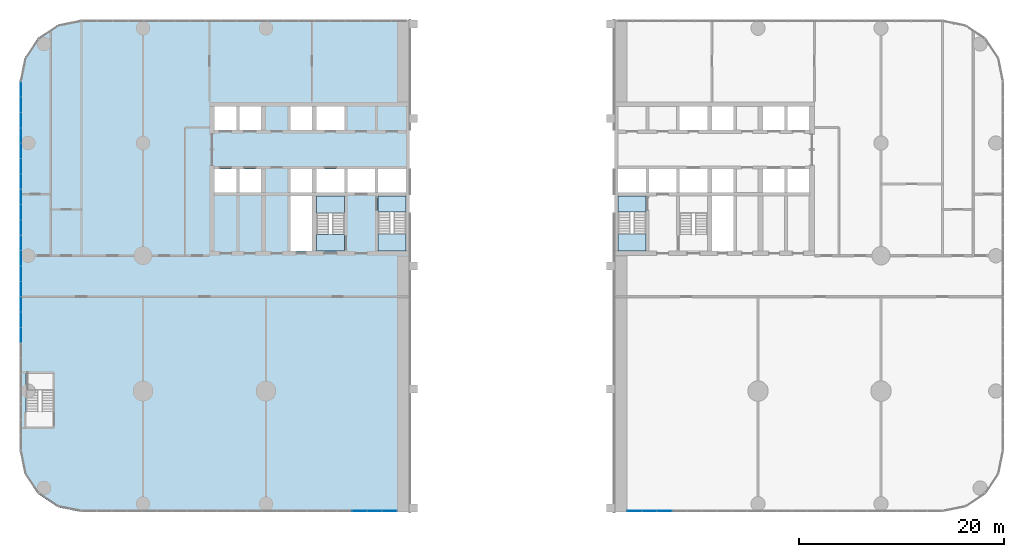
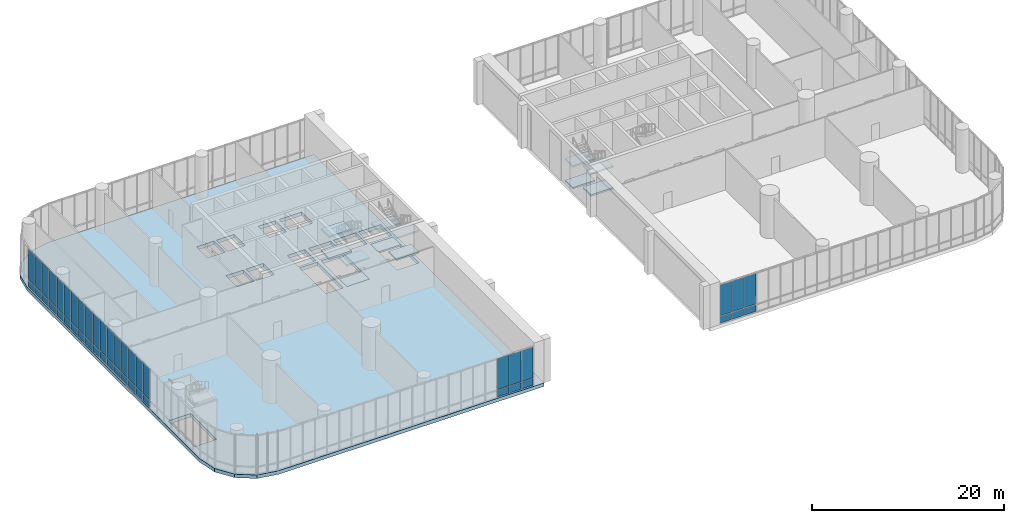
# One storey, part 17 of 28: 46 plates, 13 slabs, 6 elements without a shape of their own.
"""IFC4 building model written with IfcOpenShell, lengths in metres."""

from ifc_helpers import new_model, si_unit, direction, frame, origin, origin_2d, place, context, subcontext, project, spatial, polyline, rectangle, outline, extrude, material, layer, layer_set, type_object, element, aggregate, save


model = new_model("IFC4")

# Units and contexts
model_context = context("Model", 3, precision=1e-05, world=origin(), true_north=direction((0.0, 1.0)))
body_context = subcontext(model_context, "Body", "Model", "MODEL_VIEW")
ifc_project = project(units=[si_unit("LENGTHUNIT", "METRE"), si_unit("AREAUNIT", "SQUARE_METRE"), si_unit("VOLUMEUNIT", "CUBIC_METRE"), si_unit("PLANEANGLEUNIT", "RADIAN"), si_unit("MASSUNIT", "GRAM", prefix="KILO")], contexts=[model_context])

# Site, building, storey
site_placement = place(None, origin())
site = spatial("IfcSite", under=ifc_project, at=site_placement, CompositionType="ELEMENT")
building_placement = place(site_placement, origin())
building = spatial("IfcBuilding", under=site, at=building_placement, Name="Torana Hotel and Residences", CompositionType="ELEMENT")
storey_placement = place(building_placement, frame((0.0, 0.0, 7.0)))
storey = spatial("IfcBuildingStorey", under=building, at=storey_placement, Name="L01", CompositionType="ELEMENT", Elevation=7.0)

# Curtain wall, plates
ifc_material_1 = material(Name="Dark anodised aluminium", Category="aluminium")
ifc_layer_1 = layer(ifc_material_1, 0.14990234375)
ifc_layer_set_1 = layer_set([ifc_layer_1], Name="CW5 PODIUM UPPER UNITISED CURTAIN WALL")
curtain_wall_type = type_object("IfcCurtainWallType", Name="CW5 PODIUM UPPER UNITISED CURTAIN WALL", PredefinedType="NOTDEFINED", material=ifc_layer_set_1)
curtain_wall_1_placement = place(storey_placement, origin())
curtain_wall_1 = element("IfcCurtainWall", 1, at=curtain_wall_1_placement, inside=storey, type_object=curtain_wall_type, Name="Curtain wall CW5 L01 e0.0", PredefinedType="NOTDEFINED")
ifc_material_2 = material(Name="Glass clear low-iron laminated double glazed unit", Category="glass")
ifc_layer_2 = layer(ifc_material_2, 0.035888671875)
ifc_layer_set_2 = layer_set([ifc_layer_2], Name="CW5 DARK GLASS PANEL 36")
plate_type = type_object("IfcPlateType", Name="CW5 DARK GLASS PANEL 36", PredefinedType="CURTAIN_PANEL", material=ifc_layer_set_2)
plate_1_placement = place(storey_placement, frame((-14.86376953125, -39.89990234375, 0.099853515625), z_axis=(0.0, 0.0, 1.0), x_axis=(1.0, 0.0, 0.0)))
plate_1 = element("IfcPlate", 2, at=plate_1_placement, type_object=plate_type, Name="CW5 panel 19.1", PredefinedType="CURTAIN_PANEL", context=body_context, shape_type="SweptSolid", body=[
    extrude(rectangle(XDim=1.405517578125, YDim=0.035888671875, at=origin_2d()), origin(), (0.0, 0.0, 1.0), 0.85009765625),
])
plate_2_placement = place(storey_placement, frame((-14.86376953125, -39.89990234375, 1.050048828125), z_axis=(0.0, 0.0, 1.0), x_axis=(1.0, 0.0, 0.0)))
plate_2 = element("IfcPlate", 3, at=plate_2_placement, type_object=plate_type, Name="CW5 panel 19.2", PredefinedType="CURTAIN_PANEL", context=body_context, shape_type="SweptSolid", body=[
    extrude(rectangle(XDim=1.405517578125, YDim=0.035888671875, at=origin_2d()), origin(), (0.0, 0.0, 1.0), 3.89990234375),
])
plate_3_placement = place(storey_placement, frame((-13.398193359375, -39.89990234375, 0.099853515625), z_axis=(0.0, 0.0, 1.0), x_axis=(1.0, 0.0, 0.0)))
plate_3 = element("IfcPlate", 4, at=plate_3_placement, type_object=plate_type, Name="CW5 panel 20.1", PredefinedType="CURTAIN_PANEL", context=body_context, shape_type="SweptSolid", body=[
    extrude(rectangle(XDim=1.405517578125, YDim=0.035888671875, at=origin_2d()), origin(), (0.0, 0.0, 1.0), 0.85009765625),
])
plate_4_placement = place(storey_placement, frame((-13.398193359375, -39.89990234375, 1.050048828125), z_axis=(0.0, 0.0, 1.0), x_axis=(1.0, 0.0, 0.0)))
plate_4 = element("IfcPlate", 5, at=plate_4_placement, type_object=plate_type, Name="CW5 panel 20.2", PredefinedType="CURTAIN_PANEL", context=body_context, shape_type="SweptSolid", body=[
    extrude(rectangle(XDim=1.405517578125, YDim=0.035888671875, at=origin_2d()), origin(), (0.0, 0.0, 1.0), 3.89990234375),
])
plate_5_placement = place(storey_placement, frame((-11.94775390625, -39.89990234375, 0.099853515625), z_axis=(0.0, 0.0, 1.0), x_axis=(1.0, 0.0, 0.0)))
plate_5 = element("IfcPlate", 6, at=plate_5_placement, type_object=plate_type, Name="CW5 panel 21.1", PredefinedType="CURTAIN_PANEL", context=body_context, shape_type="SweptSolid", body=[
    extrude(rectangle(XDim=1.37548828125, YDim=0.035888671875, at=origin_2d()), origin(), (0.0, 0.0, 1.0), 0.85009765625),
])
plate_6_placement = place(storey_placement, frame((-11.94775390625, -39.89990234375, 1.050048828125), z_axis=(0.0, 0.0, 1.0), x_axis=(1.0, 0.0, 0.0)))
plate_6 = element("IfcPlate", 7, at=plate_6_placement, type_object=plate_type, Name="CW5 panel 21.2", PredefinedType="CURTAIN_PANEL", context=body_context, shape_type="SweptSolid", body=[
    extrude(rectangle(XDim=1.37548828125, YDim=0.035888671875, at=origin_2d()), origin(), (0.0, 0.0, 1.0), 3.89990234375),
])
aggregate(curtain_wall_1, [plate_1, plate_2, plate_3, plate_4, plate_5, plate_6])

curtain_wall_2_placement = place(storey_placement, origin())
curtain_wall_2 = element("IfcCurtainWall", 8, at=curtain_wall_2_placement, inside=storey, type_object=curtain_wall_type, Name="Curtain wall CW5 L01 e0.7", PredefinedType="NOTDEFINED")
plate_7_placement = place(storey_placement, frame((-47.89990234375, 1.21142578125, 0.099853515625), z_axis=(0.0, 0.0, 1.0), x_axis=(0.0, -1.0, 0.0)))
plate_7 = element("IfcPlate", 9, at=plate_7_placement, type_object=plate_type, Name="CW5 panel 1.1", PredefinedType="CURTAIN_PANEL", context=body_context, shape_type="SweptSolid", body=[
    extrude(rectangle(XDim=1.407958984375, YDim=0.035888671875, at=origin_2d()), origin(), (0.0, 0.0, 1.0), 0.85009765625),
])
plate_8_placement = place(storey_placement, frame((-47.89990234375, 1.21142578125, 1.050048828125), z_axis=(0.0, 0.0, 1.0), x_axis=(0.0, -1.0, 0.0)))
plate_8 = element("IfcPlate", 10, at=plate_8_placement, type_object=plate_type, Name="CW5 panel 1.2", PredefinedType="CURTAIN_PANEL", context=body_context, shape_type="SweptSolid", body=[
    extrude(rectangle(XDim=1.407958984375, YDim=0.035888671875, at=origin_2d()), origin(), (0.0, 0.0, 1.0), 3.89990234375),
])
plate_9_placement = place(storey_placement, frame((-47.89990234375, -0.271484375, 0.099853515625), z_axis=(0.0, 0.0, 1.0), x_axis=(0.0, -1.0, 0.0)))
plate_9 = element("IfcPlate", 11, at=plate_9_placement, type_object=plate_type, Name="CW5 panel 2.1", PredefinedType="CURTAIN_PANEL", context=body_context, shape_type="SweptSolid", body=[
    extrude(rectangle(XDim=1.43798828125, YDim=0.035888671875, at=origin_2d()), origin(), (0.0, 0.0, 1.0), 0.85009765625),
])
plate_10_placement = place(storey_placement, frame((-47.89990234375, -0.271484375, 1.050048828125), z_axis=(0.0, 0.0, 1.0), x_axis=(0.0, -1.0, 0.0)))
plate_10 = element("IfcPlate", 12, at=plate_10_placement, type_object=plate_type, Name="CW5 panel 2.2", PredefinedType="CURTAIN_PANEL", context=body_context, shape_type="SweptSolid", body=[
    extrude(rectangle(XDim=1.43798828125, YDim=0.035888671875, at=origin_2d()), origin(), (0.0, 0.0, 1.0), 3.89990234375),
])
plate_11_placement = place(storey_placement, frame((-47.89990234375, -1.76953125, 0.099853515625), z_axis=(0.0, 0.0, 1.0), x_axis=(0.0, -1.0, 0.0)))
plate_11 = element("IfcPlate", 13, at=plate_11_placement, type_object=plate_type, Name="CW5 panel 3.1", PredefinedType="CURTAIN_PANEL", context=body_context, shape_type="SweptSolid", body=[
    extrude(rectangle(XDim=1.43798828125, YDim=0.035888671875, at=origin_2d()), origin(), (0.0, 0.0, 1.0), 0.85009765625),
])
plate_12_placement = place(storey_placement, frame((-47.89990234375, -1.76953125, 1.050048828125), z_axis=(0.0, 0.0, 1.0), x_axis=(0.0, -1.0, 0.0)))
plate_12 = element("IfcPlate", 14, at=plate_12_placement, type_object=plate_type, Name="CW5 panel 3.2", PredefinedType="CURTAIN_PANEL", context=body_context, shape_type="SweptSolid", body=[
    extrude(rectangle(XDim=1.43798828125, YDim=0.035888671875, at=origin_2d()), origin(), (0.0, 0.0, 1.0), 3.89990234375),
])
plate_13_placement = place(storey_placement, frame((-47.89990234375, -3.267333984375, 0.099853515625), z_axis=(0.0, 0.0, 1.0), x_axis=(0.0, -1.0, 0.0)))
plate_13 = element("IfcPlate", 15, at=plate_13_placement, type_object=plate_type, Name="CW5 panel 4.1", PredefinedType="CURTAIN_PANEL", context=body_context, shape_type="SweptSolid", body=[
    extrude(rectangle(XDim=1.43798828125, YDim=0.035888671875, at=origin_2d()), origin(), (0.0, 0.0, 1.0), 0.85009765625),
])
plate_14_placement = place(storey_placement, frame((-47.89990234375, -3.267333984375, 1.050048828125), z_axis=(0.0, 0.0, 1.0), x_axis=(0.0, -1.0, 0.0)))
plate_14 = element("IfcPlate", 16, at=plate_14_placement, type_object=plate_type, Name="CW5 panel 4.2", PredefinedType="CURTAIN_PANEL", context=body_context, shape_type="SweptSolid", body=[
    extrude(rectangle(XDim=1.43798828125, YDim=0.035888671875, at=origin_2d()), origin(), (0.0, 0.0, 1.0), 3.89990234375),
])
plate_15_placement = place(storey_placement, frame((-47.89990234375, -4.765380859375, 0.099853515625), z_axis=(0.0, 0.0, 1.0), x_axis=(0.0, -1.0, 0.0)))
plate_15 = element("IfcPlate", 17, at=plate_15_placement, type_object=plate_type, Name="CW5 panel 5.1", PredefinedType="CURTAIN_PANEL", context=body_context, shape_type="SweptSolid", body=[
    extrude(rectangle(XDim=1.43798828125, YDim=0.035888671875, at=origin_2d()), origin(), (0.0, 0.0, 1.0), 0.85009765625),
])
plate_16_placement = place(storey_placement, frame((-47.89990234375, -4.765380859375, 1.050048828125), z_axis=(0.0, 0.0, 1.0), x_axis=(0.0, -1.0, 0.0)))
plate_16 = element("IfcPlate", 18, at=plate_16_placement, type_object=plate_type, Name="CW5 panel 5.2", PredefinedType="CURTAIN_PANEL", context=body_context, shape_type="SweptSolid", body=[
    extrude(rectangle(XDim=1.43798828125, YDim=0.035888671875, at=origin_2d()), origin(), (0.0, 0.0, 1.0), 3.89990234375),
])
plate_17_placement = place(storey_placement, frame((-47.89990234375, -6.263427734375, 0.099853515625), z_axis=(0.0, 0.0, 1.0), x_axis=(0.0, -1.0, 0.0)))
plate_17 = element("IfcPlate", 19, at=plate_17_placement, type_object=plate_type, Name="CW5 panel 6.1", PredefinedType="CURTAIN_PANEL", context=body_context, shape_type="SweptSolid", body=[
    extrude(rectangle(XDim=1.43798828125, YDim=0.035888671875, at=origin_2d()), origin(), (0.0, 0.0, 1.0), 0.85009765625),
])
plate_18_placement = place(storey_placement, frame((-47.89990234375, -6.263427734375, 1.050048828125), z_axis=(0.0, 0.0, 1.0), x_axis=(0.0, -1.0, 0.0)))
plate_18 = element("IfcPlate", 20, at=plate_18_placement, type_object=plate_type, Name="CW5 panel 6.2", PredefinedType="CURTAIN_PANEL", context=body_context, shape_type="SweptSolid", body=[
    extrude(rectangle(XDim=1.43798828125, YDim=0.035888671875, at=origin_2d()), origin(), (0.0, 0.0, 1.0), 3.89990234375),
])
plate_19_placement = place(storey_placement, frame((-47.89990234375, -7.76123046875, 0.099853515625), z_axis=(0.0, 0.0, 1.0), x_axis=(0.0, -1.0, 0.0)))
plate_19 = element("IfcPlate", 21, at=plate_19_placement, type_object=plate_type, Name="CW5 panel 7.1", PredefinedType="CURTAIN_PANEL", context=body_context, shape_type="SweptSolid", body=[
    extrude(rectangle(XDim=1.43798828125, YDim=0.035888671875, at=origin_2d()), origin(), (0.0, 0.0, 1.0), 0.85009765625),
])
plate_20_placement = place(storey_placement, frame((-47.89990234375, -7.76123046875, 1.050048828125), z_axis=(0.0, 0.0, 1.0), x_axis=(0.0, -1.0, 0.0)))
plate_20 = element("IfcPlate", 22, at=plate_20_placement, type_object=plate_type, Name="CW5 panel 7.2", PredefinedType="CURTAIN_PANEL", context=body_context, shape_type="SweptSolid", body=[
    extrude(rectangle(XDim=1.43798828125, YDim=0.035888671875, at=origin_2d()), origin(), (0.0, 0.0, 1.0), 3.89990234375),
])
plate_21_placement = place(storey_placement, frame((-47.89990234375, -9.25927734375, 0.099853515625), z_axis=(0.0, 0.0, 1.0), x_axis=(0.0, -1.0, 0.0)))
plate_21 = element("IfcPlate", 23, at=plate_21_placement, type_object=plate_type, Name="CW5 panel 8.1", PredefinedType="CURTAIN_PANEL", context=body_context, shape_type="SweptSolid", body=[
    extrude(rectangle(XDim=1.43798828125, YDim=0.035888671875, at=origin_2d()), origin(), (0.0, 0.0, 1.0), 0.85009765625),
])
plate_22_placement = place(storey_placement, frame((-47.89990234375, -9.25927734375, 1.050048828125), z_axis=(0.0, 0.0, 1.0), x_axis=(0.0, -1.0, 0.0)))
plate_22 = element("IfcPlate", 24, at=plate_22_placement, type_object=plate_type, Name="CW5 panel 8.2", PredefinedType="CURTAIN_PANEL", context=body_context, shape_type="SweptSolid", body=[
    extrude(rectangle(XDim=1.43798828125, YDim=0.035888671875, at=origin_2d()), origin(), (0.0, 0.0, 1.0), 3.89990234375),
])
plate_23_placement = place(storey_placement, frame((-47.89990234375, -10.757080078125, 0.099853515625), z_axis=(0.0, 0.0, 1.0), x_axis=(0.0, -1.0, 0.0)))
plate_23 = element("IfcPlate", 25, at=plate_23_placement, type_object=plate_type, Name="CW5 panel 9.1", PredefinedType="CURTAIN_PANEL", context=body_context, shape_type="SweptSolid", body=[
    extrude(rectangle(XDim=1.43798828125, YDim=0.035888671875, at=origin_2d()), origin(), (0.0, 0.0, 1.0), 0.85009765625),
])
plate_24_placement = place(storey_placement, frame((-47.89990234375, -10.757080078125, 1.050048828125), z_axis=(0.0, 0.0, 1.0), x_axis=(0.0, -1.0, 0.0)))
plate_24 = element("IfcPlate", 26, at=plate_24_placement, type_object=plate_type, Name="CW5 panel 9.2", PredefinedType="CURTAIN_PANEL", context=body_context, shape_type="SweptSolid", body=[
    extrude(rectangle(XDim=1.43798828125, YDim=0.035888671875, at=origin_2d()), origin(), (0.0, 0.0, 1.0), 3.89990234375),
])
plate_25_placement = place(storey_placement, frame((-47.89990234375, -12.255126953125, 0.099853515625), z_axis=(0.0, 0.0, 1.0), x_axis=(0.0, -1.0, 0.0)))
plate_25 = element("IfcPlate", 27, at=plate_25_placement, type_object=plate_type, Name="CW5 panel 10.1", PredefinedType="CURTAIN_PANEL", context=body_context, shape_type="SweptSolid", body=[
    extrude(rectangle(XDim=1.43798828125, YDim=0.035888671875, at=origin_2d()), origin(), (0.0, 0.0, 1.0), 0.85009765625),
])
plate_26_placement = place(storey_placement, frame((-47.89990234375, -12.255126953125, 1.050048828125), z_axis=(0.0, 0.0, 1.0), x_axis=(0.0, -1.0, 0.0)))
plate_26 = element("IfcPlate", 28, at=plate_26_placement, type_object=plate_type, Name="CW5 panel 10.2", PredefinedType="CURTAIN_PANEL", context=body_context, shape_type="SweptSolid", body=[
    extrude(rectangle(XDim=1.43798828125, YDim=0.035888671875, at=origin_2d()), origin(), (0.0, 0.0, 1.0), 3.89990234375),
])
plate_27_placement = place(storey_placement, frame((-47.89990234375, -13.753173828125, 0.099853515625), z_axis=(0.0, 0.0, 1.0), x_axis=(0.0, -1.0, 0.0)))
plate_27 = element("IfcPlate", 29, at=plate_27_placement, type_object=plate_type, Name="CW5 panel 11.1", PredefinedType="CURTAIN_PANEL", context=body_context, shape_type="SweptSolid", body=[
    extrude(rectangle(XDim=1.43798828125, YDim=0.035888671875, at=origin_2d()), origin(), (0.0, 0.0, 1.0), 0.85009765625),
])
plate_28_placement = place(storey_placement, frame((-47.89990234375, -13.753173828125, 1.050048828125), z_axis=(0.0, 0.0, 1.0), x_axis=(0.0, -1.0, 0.0)))
plate_28 = element("IfcPlate", 30, at=plate_28_placement, type_object=plate_type, Name="CW5 panel 11.2", PredefinedType="CURTAIN_PANEL", context=body_context, shape_type="SweptSolid", body=[
    extrude(rectangle(XDim=1.43798828125, YDim=0.035888671875, at=origin_2d()), origin(), (0.0, 0.0, 1.0), 3.89990234375),
])
plate_29_placement = place(storey_placement, frame((-47.89990234375, -15.2509765625, 0.099853515625), z_axis=(0.0, 0.0, 1.0), x_axis=(0.0, -1.0, 0.0)))
plate_29 = element("IfcPlate", 31, at=plate_29_placement, type_object=plate_type, Name="CW5 panel 12.1", PredefinedType="CURTAIN_PANEL", context=body_context, shape_type="SweptSolid", body=[
    extrude(rectangle(XDim=1.43798828125, YDim=0.035888671875, at=origin_2d()), origin(), (0.0, 0.0, 1.0), 0.85009765625),
])
plate_30_placement = place(storey_placement, frame((-47.89990234375, -15.2509765625, 1.050048828125), z_axis=(0.0, 0.0, 1.0), x_axis=(0.0, -1.0, 0.0)))
plate_30 = element("IfcPlate", 32, at=plate_30_placement, type_object=plate_type, Name="CW5 panel 12.2", PredefinedType="CURTAIN_PANEL", context=body_context, shape_type="SweptSolid", body=[
    extrude(rectangle(XDim=1.43798828125, YDim=0.035888671875, at=origin_2d()), origin(), (0.0, 0.0, 1.0), 3.89990234375),
])
plate_31_placement = place(storey_placement, frame((-47.89990234375, -16.7490234375, 0.099853515625), z_axis=(0.0, 0.0, 1.0), x_axis=(0.0, -1.0, 0.0)))
plate_31 = element("IfcPlate", 33, at=plate_31_placement, type_object=plate_type, Name="CW5 panel 13.1", PredefinedType="CURTAIN_PANEL", context=body_context, shape_type="SweptSolid", body=[
    extrude(rectangle(XDim=1.43798828125, YDim=0.035888671875, at=origin_2d()), origin(), (0.0, 0.0, 1.0), 0.85009765625),
])
plate_32_placement = place(storey_placement, frame((-47.89990234375, -16.7490234375, 1.050048828125), z_axis=(0.0, 0.0, 1.0), x_axis=(0.0, -1.0, 0.0)))
plate_32 = element("IfcPlate", 34, at=plate_32_placement, type_object=plate_type, Name="CW5 panel 13.2", PredefinedType="CURTAIN_PANEL", context=body_context, shape_type="SweptSolid", body=[
    extrude(rectangle(XDim=1.43798828125, YDim=0.035888671875, at=origin_2d()), origin(), (0.0, 0.0, 1.0), 3.89990234375),
])
plate_33_placement = place(storey_placement, frame((-47.89990234375, -18.246826171875, 0.099853515625), z_axis=(0.0, 0.0, 1.0), x_axis=(0.0, -1.0, 0.0)))
plate_33 = element("IfcPlate", 35, at=plate_33_placement, type_object=plate_type, Name="CW5 panel 14.1", PredefinedType="CURTAIN_PANEL", context=body_context, shape_type="SweptSolid", body=[
    extrude(rectangle(XDim=1.43798828125, YDim=0.035888671875, at=origin_2d()), origin(), (0.0, 0.0, 1.0), 0.85009765625),
])
plate_34_placement = place(storey_placement, frame((-47.89990234375, -18.246826171875, 1.050048828125), z_axis=(0.0, 0.0, 1.0), x_axis=(0.0, -1.0, 0.0)))
plate_34 = element("IfcPlate", 36, at=plate_34_placement, type_object=plate_type, Name="CW5 panel 14.2", PredefinedType="CURTAIN_PANEL", context=body_context, shape_type="SweptSolid", body=[
    extrude(rectangle(XDim=1.43798828125, YDim=0.035888671875, at=origin_2d()), origin(), (0.0, 0.0, 1.0), 3.89990234375),
])
plate_35_placement = place(storey_placement, frame((-47.89990234375, -19.744873046875, 0.099853515625), z_axis=(0.0, 0.0, 1.0), x_axis=(0.0, -1.0, 0.0)))
plate_35 = element("IfcPlate", 37, at=plate_35_placement, type_object=plate_type, Name="CW5 panel 15.1", PredefinedType="CURTAIN_PANEL", context=body_context, shape_type="SweptSolid", body=[
    extrude(rectangle(XDim=1.43798828125, YDim=0.035888671875, at=origin_2d()), origin(), (0.0, 0.0, 1.0), 0.85009765625),
])
plate_36_placement = place(storey_placement, frame((-47.89990234375, -19.744873046875, 1.050048828125), z_axis=(0.0, 0.0, 1.0), x_axis=(0.0, -1.0, 0.0)))
plate_36 = element("IfcPlate", 38, at=plate_36_placement, type_object=plate_type, Name="CW5 panel 15.2", PredefinedType="CURTAIN_PANEL", context=body_context, shape_type="SweptSolid", body=[
    extrude(rectangle(XDim=1.43798828125, YDim=0.035888671875, at=origin_2d()), origin(), (0.0, 0.0, 1.0), 3.89990234375),
])
plate_37_placement = place(storey_placement, frame((-47.89990234375, -21.242919921875, 0.099853515625), z_axis=(0.0, 0.0, 1.0), x_axis=(0.0, -1.0, 0.0)))
plate_37 = element("IfcPlate", 39, at=plate_37_placement, type_object=plate_type, Name="CW5 panel 16.1", PredefinedType="CURTAIN_PANEL", context=body_context, shape_type="SweptSolid", body=[
    extrude(rectangle(XDim=1.43798828125, YDim=0.035888671875, at=origin_2d()), origin(), (0.0, 0.0, 1.0), 0.85009765625),
])
plate_38_placement = place(storey_placement, frame((-47.89990234375, -21.242919921875, 1.050048828125), z_axis=(0.0, 0.0, 1.0), x_axis=(0.0, -1.0, 0.0)))
plate_38 = element("IfcPlate", 40, at=plate_38_placement, type_object=plate_type, Name="CW5 panel 16.2", PredefinedType="CURTAIN_PANEL", context=body_context, shape_type="SweptSolid", body=[
    extrude(rectangle(XDim=1.43798828125, YDim=0.035888671875, at=origin_2d()), origin(), (0.0, 0.0, 1.0), 3.89990234375),
])
plate_39_placement = place(storey_placement, frame((-47.89990234375, -22.74072265625, 0.099853515625), z_axis=(0.0, 0.0, 1.0), x_axis=(0.0, -1.0, 0.0)))
plate_39 = element("IfcPlate", 41, at=plate_39_placement, type_object=plate_type, Name="CW5 panel 17.1", PredefinedType="CURTAIN_PANEL", context=body_context, shape_type="SweptSolid", body=[
    extrude(rectangle(XDim=1.43798828125, YDim=0.035888671875, at=origin_2d()), origin(), (0.0, 0.0, 1.0), 0.85009765625),
])
plate_40_placement = place(storey_placement, frame((-47.89990234375, -22.74072265625, 1.050048828125), z_axis=(0.0, 0.0, 1.0), x_axis=(0.0, -1.0, 0.0)))
plate_40 = element("IfcPlate", 42, at=plate_40_placement, type_object=plate_type, Name="CW5 panel 17.2", PredefinedType="CURTAIN_PANEL", context=body_context, shape_type="SweptSolid", body=[
    extrude(rectangle(XDim=1.43798828125, YDim=0.035888671875, at=origin_2d()), origin(), (0.0, 0.0, 1.0), 3.89990234375),
])
aggregate(curtain_wall_2, [plate_7, plate_8, plate_9, plate_10, plate_11, plate_12, plate_13, plate_14, plate_15, plate_16, plate_17, plate_18, plate_19, plate_20, plate_21, plate_22, plate_23, plate_24, plate_25, plate_26, plate_27, plate_28, plate_29, plate_30, plate_31, plate_32, plate_33, plate_34, plate_35, plate_36, plate_37, plate_38, plate_39, plate_40])

curtain_wall_3_placement = place(storey_placement, origin())
curtain_wall_3 = element("IfcCurtainWall", 43, at=curtain_wall_3_placement, inside=storey, type_object=curtain_wall_type, Name="Curtain wall CW5 L01 e1.0", PredefinedType="NOTDEFINED")
plate_41_placement = place(storey_placement, frame((11.94775390625, -39.89990234375, 0.099853515625), z_axis=(0.0, 0.0, 1.0), x_axis=(1.0, 0.0, 0.0)))
plate_41 = element("IfcPlate", 44, at=plate_41_placement, type_object=plate_type, Name="CW5 panel 1.1", PredefinedType="CURTAIN_PANEL", context=body_context, shape_type="SweptSolid", body=[
    extrude(rectangle(XDim=1.37548828125, YDim=0.035888671875, at=origin_2d()), origin(), (0.0, 0.0, 1.0), 0.85009765625),
])
plate_42_placement = place(storey_placement, frame((11.94775390625, -39.89990234375, 1.050048828125), z_axis=(0.0, 0.0, 1.0), x_axis=(1.0, 0.0, 0.0)))
plate_42 = element("IfcPlate", 45, at=plate_42_placement, type_object=plate_type, Name="CW5 panel 1.2", PredefinedType="CURTAIN_PANEL", context=body_context, shape_type="SweptSolid", body=[
    extrude(rectangle(XDim=1.37548828125, YDim=0.035888671875, at=origin_2d()), origin(), (0.0, 0.0, 1.0), 3.89990234375),
])
plate_43_placement = place(storey_placement, frame((13.398193359375, -39.89990234375, 0.099853515625), z_axis=(0.0, 0.0, 1.0), x_axis=(1.0, 0.0, 0.0)))
plate_43 = element("IfcPlate", 46, at=plate_43_placement, type_object=plate_type, Name="CW5 panel 2.1", PredefinedType="CURTAIN_PANEL", context=body_context, shape_type="SweptSolid", body=[
    extrude(rectangle(XDim=1.405517578125, YDim=0.035888671875, at=origin_2d()), origin(), (0.0, 0.0, 1.0), 0.85009765625),
])
plate_44_placement = place(storey_placement, frame((13.398193359375, -39.89990234375, 1.050048828125), z_axis=(0.0, 0.0, 1.0), x_axis=(1.0, 0.0, 0.0)))
plate_44 = element("IfcPlate", 47, at=plate_44_placement, type_object=plate_type, Name="CW5 panel 2.2", PredefinedType="CURTAIN_PANEL", context=body_context, shape_type="SweptSolid", body=[
    extrude(rectangle(XDim=1.405517578125, YDim=0.035888671875, at=origin_2d()), origin(), (0.0, 0.0, 1.0), 3.89990234375),
])
plate_45_placement = place(storey_placement, frame((14.86376953125, -39.89990234375, 0.099853515625), z_axis=(0.0, 0.0, 1.0), x_axis=(1.0, 0.0, 0.0)))
plate_45 = element("IfcPlate", 48, at=plate_45_placement, type_object=plate_type, Name="CW5 panel 3.1", PredefinedType="CURTAIN_PANEL", context=body_context, shape_type="SweptSolid", body=[
    extrude(rectangle(XDim=1.405517578125, YDim=0.035888671875, at=origin_2d()), origin(), (0.0, 0.0, 1.0), 0.85009765625),
])
plate_46_placement = place(storey_placement, frame((14.86376953125, -39.89990234375, 1.050048828125), z_axis=(0.0, 0.0, 1.0), x_axis=(1.0, 0.0, 0.0)))
plate_46 = element("IfcPlate", 49, at=plate_46_placement, type_object=plate_type, Name="CW5 panel 3.2", PredefinedType="CURTAIN_PANEL", context=body_context, shape_type="SweptSolid", body=[
    extrude(rectangle(XDim=1.405517578125, YDim=0.035888671875, at=origin_2d()), origin(), (0.0, 0.0, 1.0), 3.89990234375),
])
aggregate(curtain_wall_3, [plate_41, plate_42, plate_43, plate_44, plate_45, plate_46])

# Slab
ifc_material_3 = material(Name="Concrete C40/50", Category="concrete")
ifc_layer_3 = layer(ifc_material_3, 0.449951171875)
ifc_layer_set_3 = layer_set([ifc_layer_3], Name="FLOOR SLAB PT 450")
slab_type_1 = type_object("IfcSlabType", Name="FLOOR SLAB PT 450", PredefinedType="FLOOR", material=ifc_layer_set_3)
slab_1_placement = place(storey_placement, frame((0.0, 0.0, -0.449951171875)))
element("IfcSlab", 50, at=slab_1_placement, inside=storey, type_object=slab_type_1, Name="Floor slab", PredefinedType="FLOOR", context=body_context, shape_type="SweptSolid", body=[
    extrude(outline(polyline([(-42.0, -40.0), (-10.0, -40.0), (-10.0, 8.0), (-42.0, 8.0), (-44.296142578125, 7.543212890625), (-46.24267578125, 6.24267578125), (-47.543212890625, 4.296142578125), (-48.0, 2.0), (-48.0, -34.0), (-47.543212890625, -36.296142578125), (-46.24267578125, -38.24267578125), (-44.296142578125, -39.543212890625), (-42.0, -40.0)]), holes=[polyline([(-13.050048828125, -14.550048828125), (-10.35009765625, -14.550048828125), (-10.35009765625, -9.14990234375), (-13.050048828125, -9.14990234375), (-13.050048828125, -14.550048828125)]), polyline([(-19.050048828125, -14.550048828125), (-16.35009765625, -14.550048828125), (-16.35009765625, -9.14990234375), (-19.050048828125, -9.14990234375), (-19.050048828125, -14.550048828125)]), polyline([(-19.050048828125, -2.75), (-16.35009765625, -2.75), (-16.35009765625, -0.449951171875), (-19.050048828125, -0.449951171875), (-19.050048828125, -2.75)]), polyline([(-26.60009765625, -2.75), (-24.5, -2.75), (-24.5, -0.449951171875), (-26.60009765625, -0.449951171875), (-26.60009765625, -2.75)]), polyline([(-29.0, -2.75), (-26.89990234375, -2.75), (-26.89990234375, -0.449951171875), (-29.0, -0.449951171875), (-29.0, -2.75)]), polyline([(-26.60009765625, -8.85009765625), (-24.5, -8.85009765625), (-24.5, -6.550048828125), (-26.60009765625, -6.550048828125), (-26.60009765625, -8.85009765625)]), polyline([(-29.0, -8.85009765625), (-26.89990234375, -8.85009765625), (-26.89990234375, -6.550048828125), (-29.0, -6.550048828125), (-29.0, -8.85009765625)]), polyline([(-21.60009765625, -2.75), (-19.5, -2.75), (-19.5, -0.449951171875), (-21.60009765625, -0.449951171875), (-21.60009765625, -2.75)]), polyline([(-21.60009765625, -8.85009765625), (-19.5, -8.85009765625), (-19.5, -6.550048828125), (-21.60009765625, -6.550048828125), (-21.60009765625, -8.85009765625)]), polyline([(-13.050048828125, -8.85009765625), (-10.35009765625, -8.85009765625), (-10.35009765625, -6.550048828125), (-13.050048828125, -6.550048828125), (-13.050048828125, -8.85009765625)]), polyline([(-16.050048828125, -8.85009765625), (-13.35009765625, -8.85009765625), (-13.35009765625, -6.550048828125), (-16.050048828125, -6.550048828125), (-16.050048828125, -8.85009765625)]), polyline([(-19.050048828125, -8.85009765625), (-16.35009765625, -8.85009765625), (-16.35009765625, -6.550048828125), (-19.050048828125, -6.550048828125), (-19.050048828125, -8.85009765625)]), polyline([(-21.60009765625, -14.550048828125), (-19.5, -14.550048828125), (-19.5, -9.14990234375), (-21.60009765625, -9.14990234375), (-21.60009765625, -14.550048828125)]), polyline([(-47.39990234375, -31.800048828125), (-44.699951171875, -31.800048828125), (-44.699951171875, -26.39990234375), (-47.39990234375, -26.39990234375), (-47.39990234375, -31.800048828125)])]), origin(), (0.0, 0.0, 1.0), 0.449951171875),
])

# Stair, slabs
ifc_material_4 = material(Name="Concrete C40/50 precast", Category="concrete")
stair_type_1 = type_object("IfcStairType", Name="STAIR ST1 HALF TURN 1200", PredefinedType="HALF_TURN_STAIR", material=ifc_material_4)
stair_1_placement = place(storey_placement, origin())
stair_1 = element("IfcStair", 51, at=stair_1_placement, inside=storey, type_object=stair_type_1, Name="Stair ST1 L01", PredefinedType="HALF_TURN_STAIR")
ifc_material_5 = material(Name="Concrete C40/50 precast", Category="concrete")
ifc_layer_4 = layer(ifc_material_5, 0.199951171875)
ifc_layer_set_4 = layer_set([ifc_layer_4], Name="STAIR LANDING 200")
slab_type_2 = type_object("IfcSlabType", Name="STAIR LANDING 200", PredefinedType="LANDING", material=ifc_layer_set_4)
slab_2_placement = place(storey_placement, frame((0.0, 0.0, 1.175048828125)))
slab_2 = element("IfcSlab", 52, at=slab_2_placement, type_object=slab_type_2, Name="ST1 landing 1", PredefinedType="LANDING", context=body_context, shape_type="SweptSolid", body=[
    extrude(outline(polyline([(-13.050048828125, -14.550048828125), (-10.35009765625, -14.550048828125), (-10.35009765625, -12.8701171875), (-13.050048828125, -12.8701171875), (-13.050048828125, -14.550048828125)])), origin(), (0.0, 0.0, 1.0), 0.199951171875),
])
slab_3_placement = place(storey_placement, frame((0.0, 0.0, -0.199951171875)))
slab_3 = element("IfcSlab", 53, at=slab_3_placement, type_object=slab_type_2, Name="ST1 landing 2", PredefinedType="LANDING", context=body_context, shape_type="SweptSolid", body=[
    extrude(outline(polyline([(-13.050048828125, -10.75), (-10.35009765625, -10.75), (-10.35009765625, -9.14990234375), (-13.050048828125, -9.14990234375), (-13.050048828125, -10.75)])), origin(), (0.0, 0.0, 1.0), 0.199951171875),
])
slab_4_placement = place(storey_placement, frame((0.0, 0.0, 3.925048828125)))
slab_4 = element("IfcSlab", 54, at=slab_4_placement, type_object=slab_type_2, Name="ST1 landing 3", PredefinedType="LANDING", context=body_context, shape_type="SweptSolid", body=[
    extrude(outline(polyline([(-13.050048828125, -14.550048828125), (-10.35009765625, -14.550048828125), (-10.35009765625, -12.8701171875), (-13.050048828125, -12.8701171875), (-13.050048828125, -14.550048828125)])), origin(), (0.0, 0.0, 1.0), 0.199951171875),
])
slab_5_placement = place(storey_placement, frame((0.0, 0.0, 2.550048828125)))
slab_5 = element("IfcSlab", 55, at=slab_5_placement, type_object=slab_type_2, Name="ST1 landing 4", PredefinedType="LANDING", context=body_context, shape_type="SweptSolid", body=[
    extrude(outline(polyline([(-13.050048828125, -10.75), (-10.35009765625, -10.75), (-10.35009765625, -9.14990234375), (-13.050048828125, -9.14990234375), (-13.050048828125, -10.75)])), origin(), (0.0, 0.0, 1.0), 0.199951171875),
])
aggregate(stair_1, [slab_2, slab_3, slab_4, slab_5])

ifc_material_6 = material(Name="Concrete C40/50 precast", Category="concrete")
stair_type_2 = type_object("IfcStairType", Name="STAIR ST2 HALF TURN 1200", PredefinedType="HALF_TURN_STAIR", material=ifc_material_6)
stair_2_placement = place(storey_placement, origin())
stair_2 = element("IfcStair", 56, at=stair_2_placement, inside=storey, type_object=stair_type_2, Name="Stair ST2 L01", PredefinedType="HALF_TURN_STAIR")
slab_6_placement = place(storey_placement, frame((0.0, 0.0, 1.175048828125)))
slab_6 = element("IfcSlab", 57, at=slab_6_placement, type_object=slab_type_2, Name="ST2 landing 1", PredefinedType="LANDING", context=body_context, shape_type="SweptSolid", body=[
    extrude(outline(polyline([(-19.050048828125, -10.830078125), (-16.35009765625, -10.830078125), (-16.35009765625, -9.14990234375), (-19.050048828125, -9.14990234375), (-19.050048828125, -10.830078125)])), origin(), (0.0, 0.0, 1.0), 0.199951171875),
])
slab_7_placement = place(storey_placement, frame((0.0, 0.0, -0.199951171875)))
slab_7 = element("IfcSlab", 58, at=slab_7_placement, type_object=slab_type_2, Name="ST2 landing 2", PredefinedType="LANDING", context=body_context, shape_type="SweptSolid", body=[
    extrude(outline(polyline([(-19.050048828125, -14.550048828125), (-16.35009765625, -14.550048828125), (-16.35009765625, -12.949951171875), (-19.050048828125, -12.949951171875), (-19.050048828125, -14.550048828125)])), origin(), (0.0, 0.0, 1.0), 0.199951171875),
])
slab_8_placement = place(storey_placement, frame((0.0, 0.0, 3.925048828125)))
slab_8 = element("IfcSlab", 59, at=slab_8_placement, type_object=slab_type_2, Name="ST2 landing 3", PredefinedType="LANDING", context=body_context, shape_type="SweptSolid", body=[
    extrude(outline(polyline([(-19.050048828125, -10.830078125), (-16.35009765625, -10.830078125), (-16.35009765625, -9.14990234375), (-19.050048828125, -9.14990234375), (-19.050048828125, -10.830078125)])), origin(), (0.0, 0.0, 1.0), 0.199951171875),
])
slab_9_placement = place(storey_placement, frame((0.0, 0.0, 2.550048828125)))
slab_9 = element("IfcSlab", 60, at=slab_9_placement, type_object=slab_type_2, Name="ST2 landing 4", PredefinedType="LANDING", context=body_context, shape_type="SweptSolid", body=[
    extrude(outline(polyline([(-19.050048828125, -14.550048828125), (-16.35009765625, -14.550048828125), (-16.35009765625, -12.949951171875), (-19.050048828125, -12.949951171875), (-19.050048828125, -14.550048828125)])), origin(), (0.0, 0.0, 1.0), 0.199951171875),
])
aggregate(stair_2, [slab_6, slab_7, slab_8, slab_9])

ifc_material_7 = material(Name="Concrete C40/50 precast", Category="concrete")
stair_type_3 = type_object("IfcStairType", Name="STAIR ST3 HALF TURN 1200", PredefinedType="HALF_TURN_STAIR", material=ifc_material_7)
stair_3_placement = place(storey_placement, origin())
stair_3 = element("IfcStair", 61, at=stair_3_placement, inside=storey, type_object=stair_type_3, Name="Stair ST3 L01", PredefinedType="HALF_TURN_STAIR")
slab_10_placement = place(storey_placement, frame((0.0, 0.0, 1.175048828125)))
slab_10 = element("IfcSlab", 62, at=slab_10_placement, type_object=slab_type_2, Name="ST3 landing 1", PredefinedType="LANDING", context=body_context, shape_type="SweptSolid", body=[
    extrude(outline(polyline([(10.35009765625, -14.550048828125), (13.050048828125, -14.550048828125), (13.050048828125, -12.8701171875), (10.35009765625, -12.8701171875), (10.35009765625, -14.550048828125)])), origin(), (0.0, 0.0, 1.0), 0.199951171875),
])
slab_11_placement = place(storey_placement, frame((0.0, 0.0, -0.199951171875)))
slab_11 = element("IfcSlab", 63, at=slab_11_placement, type_object=slab_type_2, Name="ST3 landing 2", PredefinedType="LANDING", context=body_context, shape_type="SweptSolid", body=[
    extrude(outline(polyline([(10.35009765625, -10.75), (13.050048828125, -10.75), (13.050048828125, -9.14990234375), (10.35009765625, -9.14990234375), (10.35009765625, -10.75)])), origin(), (0.0, 0.0, 1.0), 0.199951171875),
])
slab_12_placement = place(storey_placement, frame((0.0, 0.0, 3.925048828125)))
slab_12 = element("IfcSlab", 64, at=slab_12_placement, type_object=slab_type_2, Name="ST3 landing 3", PredefinedType="LANDING", context=body_context, shape_type="SweptSolid", body=[
    extrude(outline(polyline([(10.35009765625, -14.550048828125), (13.050048828125, -14.550048828125), (13.050048828125, -12.8701171875), (10.35009765625, -12.8701171875), (10.35009765625, -14.550048828125)])), origin(), (0.0, 0.0, 1.0), 0.199951171875),
])
slab_13_placement = place(storey_placement, frame((0.0, 0.0, 2.550048828125)))
slab_13 = element("IfcSlab", 65, at=slab_13_placement, type_object=slab_type_2, Name="ST3 landing 4", PredefinedType="LANDING", context=body_context, shape_type="SweptSolid", body=[
    extrude(outline(polyline([(10.35009765625, -10.75), (13.050048828125, -10.75), (13.050048828125, -9.14990234375), (10.35009765625, -9.14990234375), (10.35009765625, -10.75)])), origin(), (0.0, 0.0, 1.0), 0.199951171875),
])
aggregate(stair_3, [slab_10, slab_11, slab_12, slab_13])

save(model, "model.ifc")
